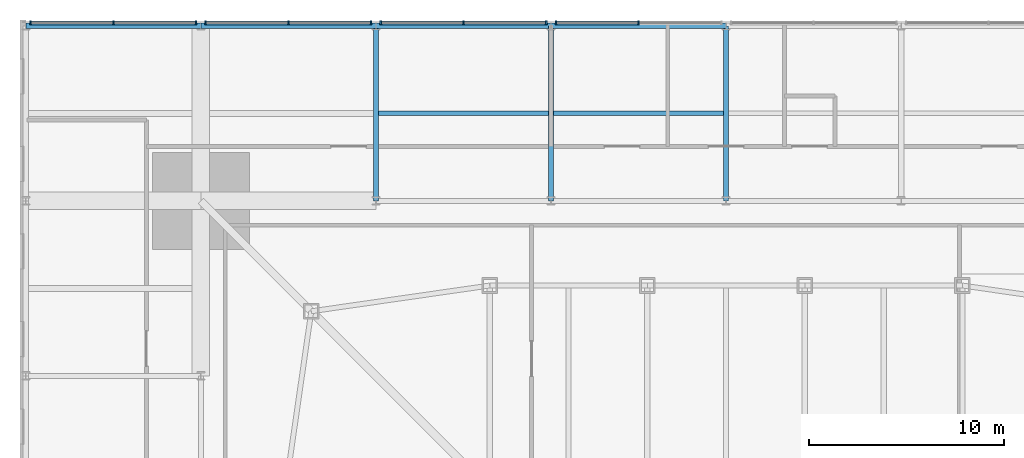
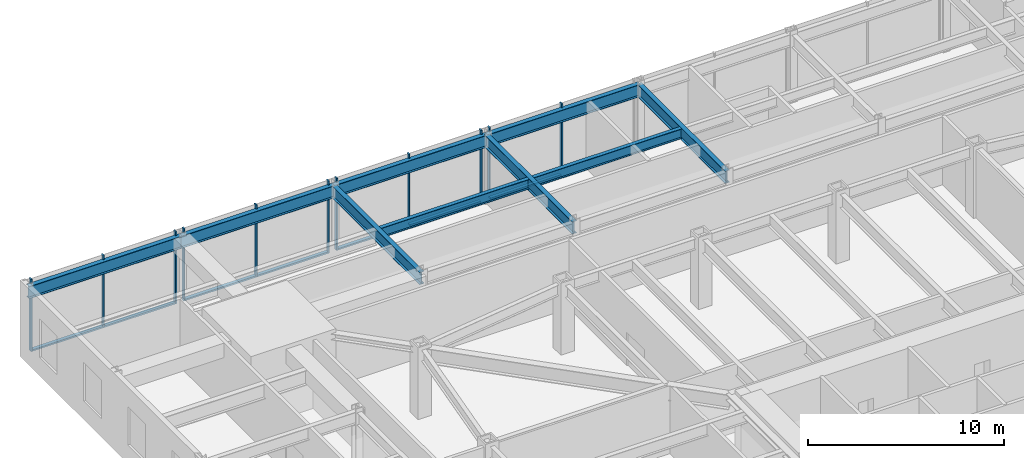
# One storey, part 14 of 30: 18 members, 9 beams, 4 elements without a shape of their own.
"""IFC4 building model written with IfcOpenShell, lengths in metres."""

from ifc_helpers import new_model, si_unit, direction, frame, origin, origin_2d, place, context, subcontext, project, spatial, rectangle, i_section, extrude, material, material_profile, profile_set, type_object, element, aggregate, save


model = new_model("IFC4")

# Units and contexts
model_context = context("Model", 3, precision=1e-05, world=origin(), true_north=direction((0.0, 1.0)))
body_context = subcontext(model_context, "Body", "Model", "MODEL_VIEW")
ifc_project = project(units=[si_unit("LENGTHUNIT", "METRE"), si_unit("AREAUNIT", "SQUARE_METRE"), si_unit("VOLUMEUNIT", "CUBIC_METRE"), si_unit("PLANEANGLEUNIT", "RADIAN"), si_unit("MASSUNIT", "GRAM", prefix="KILO")], contexts=[model_context])

# Site, building, storey
site_placement = place(None, origin())
site = spatial("IfcSite", under=ifc_project, at=site_placement, CompositionType="ELEMENT")
building_placement = place(site_placement, origin())
building = spatial("IfcBuilding", under=site, at=building_placement, Name="Iwan Alto Co-Living Towers", CompositionType="ELEMENT")
storey_placement = place(building_placement, frame((0.0, 0.0, 10.5)))
storey = spatial("IfcBuildingStorey", under=building, at=storey_placement, Name="L02", CompositionType="ELEMENT", Elevation=10.5)

# Curtain wall, members
ifc_material_1 = material(Name="Bronze aluminium stick frame", Category="aluminium")
curtain_wall_type = type_object("IfcCurtainWallType", Name="CURTAIN WALL CW-E", PredefinedType="NOTDEFINED", material=ifc_material_1)
curtain_wall_1_placement = place(storey_placement, origin())
curtain_wall_1 = element("IfcCurtainWall", 1, at=curtain_wall_1_placement, inside=storey, type_object=curtain_wall_type, Name="Podium curtain wall N L02", PredefinedType="NOTDEFINED")
ifc_material_2 = material(Name="Aluminium 6063-T6 bronze anodised", Category="aluminium")
ifc_material_profile_1 = material_profile(ifc_material_2, rectangle(XDim=0.199951171875, YDim=0.080078125, at=origin_2d()), Name="AL 80X200")
ifc_profile_set_1 = profile_set([ifc_material_profile_1], Name="Aluminium 6063-T6 bronze anodised")
member_type_1 = type_object("IfcMemberType", Name="CW-E MULLION 80X200", PredefinedType="MULLION", material=ifc_profile_set_1)
member_1_placement = place(storey_placement, frame((-27.245849609375, 36.14990234375, 0.0), z_axis=(0.0, 0.0, 1.0), x_axis=(0.0, -1.0, 0.0)))
member_1 = element("IfcMember", 2, at=member_1_placement, type_object=member_type_1, Name="CW-E mullion 1", PredefinedType="MULLION", context=body_context, shape_type="SweptSolid", body=[
    extrude(rectangle(XDim=0.199951171875, YDim=0.080078125, at=origin_2d()), origin(), (0.0, 0.0, 1.0), 4.5),
])
member_2_placement = place(storey_placement, frame((-31.5, 36.14990234375, 0.0), z_axis=(0.0, 0.0, 1.0), x_axis=(0.0, -1.0, 0.0)))
member_2 = element("IfcMember", 3, at=member_2_placement, type_object=member_type_1, Name="CW-E mullion 2", PredefinedType="MULLION", context=body_context, shape_type="SweptSolid", body=[
    extrude(rectangle(XDim=0.199951171875, YDim=0.080078125, at=origin_2d()), origin(), (0.0, 0.0, 1.0), 4.5),
])
member_3_placement = place(storey_placement, frame((-35.754150390625, 36.14990234375, 0.0), z_axis=(0.0, 0.0, 1.0), x_axis=(0.0, -1.0, 0.0)))
member_3 = element("IfcMember", 4, at=member_3_placement, type_object=member_type_1, Name="CW-E mullion 3", PredefinedType="MULLION", context=body_context, shape_type="SweptSolid", body=[
    extrude(rectangle(XDim=0.199951171875, YDim=0.080078125, at=origin_2d()), origin(), (0.0, 0.0, 1.0), 4.5),
])

curtain_wall_2_placement = place(storey_placement, origin())
curtain_wall_2 = element("IfcCurtainWall", 5, at=curtain_wall_2_placement, inside=storey, type_object=curtain_wall_type, Name="Podium curtain wall N L02", PredefinedType="NOTDEFINED")
member_4_placement = place(storey_placement, frame((-18.245849609375, 36.14990234375, 0.0), z_axis=(0.0, 0.0, 1.0), x_axis=(0.0, -1.0, 0.0)))
member_4 = element("IfcMember", 6, at=member_4_placement, type_object=member_type_1, Name="CW-E mullion 1", PredefinedType="MULLION", context=body_context, shape_type="SweptSolid", body=[
    extrude(rectangle(XDim=0.199951171875, YDim=0.080078125, at=origin_2d()), origin(), (0.0, 0.0, 1.0), 4.5),
])
member_5_placement = place(storey_placement, frame((-22.5, 36.14990234375, 0.0), z_axis=(0.0, 0.0, 1.0), x_axis=(0.0, -1.0, 0.0)))
member_5 = element("IfcMember", 7, at=member_5_placement, type_object=member_type_1, Name="CW-E mullion 2", PredefinedType="MULLION", context=body_context, shape_type="SweptSolid", body=[
    extrude(rectangle(XDim=0.199951171875, YDim=0.080078125, at=origin_2d()), origin(), (0.0, 0.0, 1.0), 4.5),
])
member_6_placement = place(storey_placement, frame((-26.754150390625, 36.14990234375, 0.0), z_axis=(0.0, 0.0, 1.0), x_axis=(0.0, -1.0, 0.0)))
member_6 = element("IfcMember", 8, at=member_6_placement, type_object=member_type_1, Name="CW-E mullion 3", PredefinedType="MULLION", context=body_context, shape_type="SweptSolid", body=[
    extrude(rectangle(XDim=0.199951171875, YDim=0.080078125, at=origin_2d()), origin(), (0.0, 0.0, 1.0), 4.5),
])

curtain_wall_3_placement = place(storey_placement, origin())
curtain_wall_3 = element("IfcCurtainWall", 9, at=curtain_wall_3_placement, inside=storey, type_object=curtain_wall_type, Name="Podium curtain wall N L02", PredefinedType="NOTDEFINED")
member_7_placement = place(storey_placement, frame((-9.245849609375, 36.14990234375, 0.0), z_axis=(0.0, 0.0, 1.0), x_axis=(0.0, -1.0, 0.0)))
member_7 = element("IfcMember", 10, at=member_7_placement, type_object=member_type_1, Name="CW-E mullion 1", PredefinedType="MULLION", context=body_context, shape_type="SweptSolid", body=[
    extrude(rectangle(XDim=0.199951171875, YDim=0.080078125, at=origin_2d()), origin(), (0.0, 0.0, 1.0), 4.5),
])
member_8_placement = place(storey_placement, frame((-13.5, 36.14990234375, 0.0), z_axis=(0.0, 0.0, 1.0), x_axis=(0.0, -1.0, 0.0)))
member_8 = element("IfcMember", 11, at=member_8_placement, type_object=member_type_1, Name="CW-E mullion 2", PredefinedType="MULLION", context=body_context, shape_type="SweptSolid", body=[
    extrude(rectangle(XDim=0.199951171875, YDim=0.080078125, at=origin_2d()), origin(), (0.0, 0.0, 1.0), 4.5),
])
member_9_placement = place(storey_placement, frame((-17.754150390625, 36.14990234375, 0.0), z_axis=(0.0, 0.0, 1.0), x_axis=(0.0, -1.0, 0.0)))
member_9 = element("IfcMember", 12, at=member_9_placement, type_object=member_type_1, Name="CW-E mullion 3", PredefinedType="MULLION", context=body_context, shape_type="SweptSolid", body=[
    extrude(rectangle(XDim=0.199951171875, YDim=0.080078125, at=origin_2d()), origin(), (0.0, 0.0, 1.0), 4.5),
])

curtain_wall_4_placement = place(storey_placement, origin())
curtain_wall_4 = element("IfcCurtainWall", 13, at=curtain_wall_4_placement, inside=storey, type_object=curtain_wall_type, Name="Podium curtain wall N L02", PredefinedType="NOTDEFINED")
member_10_placement = place(storey_placement, frame((-4.5, 36.14990234375, 0.0), z_axis=(0.0, 0.0, 1.0), x_axis=(0.0, -1.0, 0.0)))
member_10 = element("IfcMember", 14, at=member_10_placement, type_object=member_type_1, Name="CW-E mullion 2", PredefinedType="MULLION", context=body_context, shape_type="SweptSolid", body=[
    extrude(rectangle(XDim=0.199951171875, YDim=0.080078125, at=origin_2d()), origin(), (0.0, 0.0, 1.0), 4.5),
])
member_11_placement = place(storey_placement, frame((-8.754150390625, 36.14990234375, 0.0), z_axis=(0.0, 0.0, 1.0), x_axis=(0.0, -1.0, 0.0)))
member_11 = element("IfcMember", 15, at=member_11_placement, type_object=member_type_1, Name="CW-E mullion 3", PredefinedType="MULLION", context=body_context, shape_type="SweptSolid", body=[
    extrude(rectangle(XDim=0.199951171875, YDim=0.080078125, at=origin_2d()), origin(), (0.0, 0.0, 1.0), 4.5),
])

# Member
ifc_material_3 = material(Name="Aluminium 6063-T6 bronze anodised", Category="aluminium")
ifc_material_profile_2 = material_profile(ifc_material_3, rectangle(XDim=0.199951171875, YDim=0.10009765625, at=origin_2d()), Name="AL 200X100")
ifc_profile_set_2 = profile_set([ifc_material_profile_2], Name="Aluminium 6063-T6 bronze anodised")
member_type_2 = type_object("IfcMemberType", Name="CW-E TRANSOM 200X100", PredefinedType="USERDEFINED", material=ifc_profile_set_2)
member_12_placement = place(storey_placement, frame((-27.28564453125, 36.14990234375, 0.050048828125), z_axis=(-1.0, 0.0, 0.0), x_axis=(0.0, -1.0, 0.0)))
member_12 = element("IfcMember", 16, at=member_12_placement, type_object=member_type_2, Name="CW-E transom 1.1", ObjectType="TRANSOM", PredefinedType="USERDEFINED", context=body_context, shape_type="SweptSolid", body=[
    extrude(rectangle(XDim=0.199951171875, YDim=0.10009765625, at=origin_2d()), origin(), (0.0, 0.0, 1.0), 4.17431640625),
])

member_13_placement = place(storey_placement, frame((-31.5400390625, 36.14990234375, 0.050048828125), z_axis=(-1.0, 0.0, 0.0), x_axis=(0.0, -1.0, 0.0)))
member_13 = element("IfcMember", 17, at=member_13_placement, type_object=member_type_2, Name="CW-E transom 2.1", ObjectType="TRANSOM", PredefinedType="USERDEFINED", context=body_context, shape_type="SweptSolid", body=[
    extrude(rectangle(XDim=0.199951171875, YDim=0.10009765625, at=origin_2d()), origin(), (0.0, 0.0, 1.0), 4.17431640625),
])

aggregate(curtain_wall_1, [member_1, member_2, member_3, member_12, member_13])

member_14_placement = place(storey_placement, frame((-18.28564453125, 36.14990234375, 0.050048828125), z_axis=(-1.0, 0.0, 0.0), x_axis=(0.0, -1.0, 0.0)))
member_14 = element("IfcMember", 18, at=member_14_placement, type_object=member_type_2, Name="CW-E transom 1.1", ObjectType="TRANSOM", PredefinedType="USERDEFINED", context=body_context, shape_type="SweptSolid", body=[
    extrude(rectangle(XDim=0.199951171875, YDim=0.10009765625, at=origin_2d()), origin(), (0.0, 0.0, 1.0), 4.17431640625),
])

member_15_placement = place(storey_placement, frame((-22.5400390625, 36.14990234375, 0.050048828125), z_axis=(-1.0, 0.0, 0.0), x_axis=(0.0, -1.0, 0.0)))
member_15 = element("IfcMember", 19, at=member_15_placement, type_object=member_type_2, Name="CW-E transom 2.1", ObjectType="TRANSOM", PredefinedType="USERDEFINED", context=body_context, shape_type="SweptSolid", body=[
    extrude(rectangle(XDim=0.199951171875, YDim=0.10009765625, at=origin_2d()), origin(), (0.0, 0.0, 1.0), 4.17431640625),
])

aggregate(curtain_wall_2, [member_4, member_5, member_6, member_14, member_15])

member_16_placement = place(storey_placement, frame((-9.28564453125, 36.14990234375, 0.050048828125), z_axis=(-1.0, 0.0, 0.0), x_axis=(0.0, -1.0, 0.0)))
member_16 = element("IfcMember", 20, at=member_16_placement, type_object=member_type_2, Name="CW-E transom 1.1", ObjectType="TRANSOM", PredefinedType="USERDEFINED", context=body_context, shape_type="SweptSolid", body=[
    extrude(rectangle(XDim=0.199951171875, YDim=0.10009765625, at=origin_2d()), origin(), (0.0, 0.0, 1.0), 4.17431640625),
])

member_17_placement = place(storey_placement, frame((-13.5400390625, 36.14990234375, 0.050048828125), z_axis=(-1.0, 0.0, 0.0), x_axis=(0.0, -1.0, 0.0)))
member_17 = element("IfcMember", 21, at=member_17_placement, type_object=member_type_2, Name="CW-E transom 2.1", ObjectType="TRANSOM", PredefinedType="USERDEFINED", context=body_context, shape_type="SweptSolid", body=[
    extrude(rectangle(XDim=0.199951171875, YDim=0.10009765625, at=origin_2d()), origin(), (0.0, 0.0, 1.0), 4.17431640625),
])

aggregate(curtain_wall_3, [member_7, member_8, member_9, member_16, member_17])

member_18_placement = place(storey_placement, frame((-4.5400390625, 36.14990234375, 0.050048828125), z_axis=(-1.0, 0.0, 0.0), x_axis=(0.0, -1.0, 0.0)))
member_18 = element("IfcMember", 22, at=member_18_placement, type_object=member_type_2, Name="CW-E transom 2.1", ObjectType="TRANSOM", PredefinedType="USERDEFINED", context=body_context, shape_type="SweptSolid", body=[
    extrude(rectangle(XDim=0.199951171875, YDim=0.10009765625, at=origin_2d()), origin(), (0.0, 0.0, 1.0), 4.17431640625),
])

aggregate(curtain_wall_4, [member_10, member_11, member_18])

# Beams
ifc_material_4 = material(Name="Steel ASTM A992 Gr 50", Category="steel")
ifc_material_profile_3 = material_profile(ifc_material_4, i_section(OverallWidth=0.2666015625, OverallDepth=0.76953125, WebThickness=0.015625, FlangeThickness=0.025390625, at=origin_2d()), Name="W30X132")
ifc_profile_set_3 = profile_set([ifc_material_profile_3], Name="Steel ASTM A992 Gr 50")
beam_type_1 = type_object("IfcBeamType", Name="PODIUM BEAM W30X132", PredefinedType="BEAM", material=ifc_profile_set_3)
for number, where, z_axis, x_axis, name in (
    (23, (-36.0, 36.0, 3.865234375), (1.0, 0.0, 0.0), (0.0, 1.0, 0.0), "Podium beam 1/I-2/I L03"),
    (24, (-27.0, 36.0, 3.865234375), (1.0, 0.0, 0.0), (0.0, 1.0, 0.0), "Podium beam 2/I-3/I L03"),
    (25, (-18.0, 27.0, 3.865234375), (0.0, 1.0, 0.0), (-1.0, 0.0, 0.0), "Podium beam 3/H-3/I L03"),
    (26, (-18.0, 36.0, 3.865234375), (1.0, 0.0, 0.0), (0.0, 1.0, 0.0), "Podium beam 3/I-4/I L03"),
    (27, (-9.0, 27.0, 3.865234375), (0.0, 1.0, 0.0), (-1.0, 0.0, 0.0), "Podium beam 4/H-4/I L03"),
    (28, (-9.0, 36.0, 3.865234375), (1.0, 0.0, 0.0), (0.0, 1.0, 0.0), "Podium beam 4/I-5/I L03"),
    (29, (0.0, 27.0, 3.865234375), (0.0, 1.0, 0.0), (-1.0, 0.0, 0.0), "Podium beam 5/H-5/I L03"),
):
    element("IfcBeam", number, at=place(storey_placement, frame(where, z_axis=z_axis, x_axis=x_axis)), inside=storey, type_object=beam_type_1, Name=name, PredefinedType="BEAM", context=body_context, shape_type="SweptSolid", body=[
        extrude(i_section(OverallWidth=0.2666015625, OverallDepth=0.76953125, WebThickness=0.015625, FlangeThickness=0.025390625, at=origin_2d()), origin(), (0.0, 0.0, 1.0), 9.0),
    ])
ifc_material_5 = material(Name="Steel ASTM A992 Gr 50", Category="steel")
ifc_material_profile_4 = material_profile(ifc_material_5, i_section(OverallWidth=0.23046875, OverallDepth=0.6171875, WebThickness=0.01318359375, FlangeThickness=0.022216796875, at=origin_2d()), Name="W24X94")
ifc_profile_set_4 = profile_set([ifc_material_profile_4], Name="Steel ASTM A992 Gr 50")
beam_type_2 = type_object("IfcBeamType", Name="PODIUM SECONDARY BEAM W24X94", PredefinedType="JOIST", material=ifc_profile_set_4)
for number, where, z_axis, x_axis, name in (
    (30, (-17.86669921875, 31.5, 3.94140625), (1.0, 0.0, 0.0), (0.0, 1.0, 0.0), "Podium secondary beam 3/H L03"),
    (31, (-8.86669921875, 31.5, 3.94140625), (1.0, 0.0, 0.0), (0.0, 1.0, 0.0), "Podium secondary beam 4/H L03"),
):
    element("IfcBeam", number, at=place(storey_placement, frame(where, z_axis=z_axis, x_axis=x_axis)), inside=storey, type_object=beam_type_2, Name=name, PredefinedType="JOIST", context=body_context, shape_type="SweptSolid", body=[
        extrude(i_section(OverallWidth=0.23046875, OverallDepth=0.6171875, WebThickness=0.01318359375, FlangeThickness=0.022216796875, at=origin_2d()), origin(), (0.0, 0.0, 1.0), 8.7333984375),
    ])

save(model, "model.ifc")
